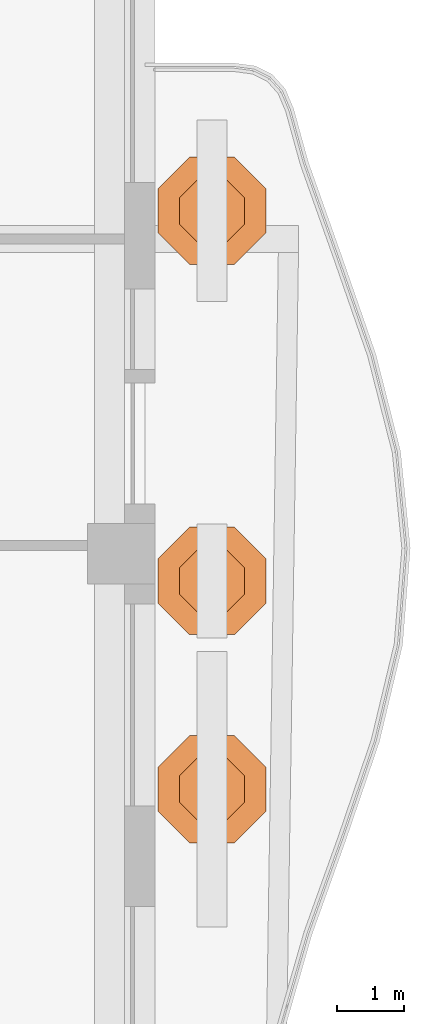
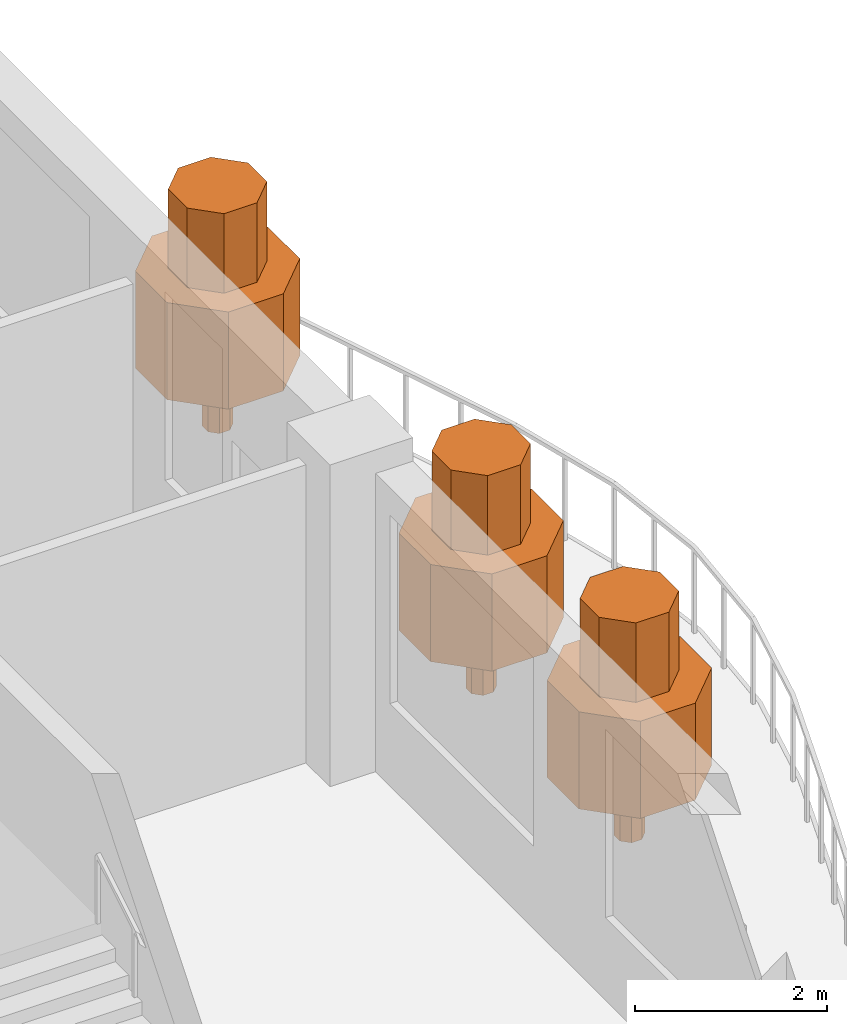
# One storey, part 14 of 14: 3 geographic elements.
"""IFC4 building model written with IfcOpenShell, lengths in metres."""

import ifcopenshell
import ifcopenshell.guid

model = None  # the IFC model being written
_history = None  # IfcOwnerHistory: only IFC2X3 demands one
_inside = {}  # id of a spatial element -> (the spatial element, [elements in it])
_under = {}  # id of a project, library or spatial element -> (it, [spatial elements below it])
_declared = {}  # id of a project -> (the project, [libraries it declares])
_typed = {}  # id of a type object -> (the type object, [elements of that type])
_made_of = {}  # id of a material, layer set ... -> (it, [elements and type objects made of it])


def new_model(schema):
    """Start an empty IFC model of exactly this schema.

    Asked for "IFC4X3", IfcOpenShell would pick the latest addendum, in which some entities
    have other attributes; the version numbers below select the first issue.
    IFC2X3 requires an IfcOwnerHistory on every rooted entity: one is made here for all.
    """
    global model, _history
    if schema == "IFC4X3":
        model = ifcopenshell.file(schema_version=(4, 3, 0, 0))
    else:
        model = ifcopenshell.file(schema=schema)
    _inside.clear()
    _under.clear()
    _declared.clear()
    _typed.clear()
    _made_of.clear()
    _history = None
    if model.schema == "IFC2X3":
        org = make("IfcOrganization", Name="unknown")
        user = make(
            "IfcPersonAndOrganization",
            ThePerson=make("IfcPerson", FamilyName="unknown"),
            TheOrganization=org,
        )
        app = make(
            "IfcApplication",
            ApplicationDeveloper=org,
            Version="unknown",
            ApplicationFullName="unknown",
            ApplicationIdentifier="unknown",
        )
        _history = make(
            "IfcOwnerHistory",
            OwningUser=user,
            OwningApplication=app,
            ChangeAction="ADDED",
            CreationDate=0,
        )
    return model


def make(cls, **values):
    """One entity of the class cls with the attributes given. An attribute that is None is left unset."""
    return model.create_entity(
        cls, **{name: value for name, value in values.items() if value is not None}
    )


def rooted(cls, **values):
    """An entity with a GlobalId (a new one), such as an element, a storey or a relation."""
    return make(cls, GlobalId=ifcopenshell.guid.new(), OwnerHistory=_history, **values)


def si_unit(unit_type, name, prefix=None):
    """IfcSIUnit, for example si_unit("LENGTHUNIT", "METRE", prefix="MILLI")."""
    return make("IfcSIUnit", UnitType=unit_type, Prefix=prefix, Name=name)


def assignment(units):
    """IfcUnitAssignment: the units of a project."""
    return None if units is None else make("IfcUnitAssignment", Units=units)


def point(xyz):
    """IfcCartesianPoint."""
    return None if xyz is None else make("IfcCartesianPoint", Coordinates=xyz)


def direction(xyz):
    """IfcDirection."""
    return None if xyz is None else make("IfcDirection", DirectionRatios=xyz)


def frame(location, z_axis=None, x_axis=None):
    """IfcAxis2Placement3D, a coordinate frame: its origin and axes. An axis left out is left unset."""
    return make(
        "IfcAxis2Placement3D",
        Location=point(location),
        Axis=direction(z_axis),
        RefDirection=direction(x_axis),
    )


def origin():
    """The frame at (0, 0, 0) with its axes left unset."""
    return frame((0.0, 0.0, 0.0))


def place(relative_to, where):
    """IfcLocalPlacement: puts the frame where relative to a parent placement (None: the world)."""
    return make(
        "IfcLocalPlacement", PlacementRelTo=relative_to, RelativePlacement=where
    )


def context(
    kind, dimensions, precision=None, world=None, true_north=None, identifier=None
):
    """IfcGeometricRepresentationContext, for example the 3D "Model" context."""
    return make(
        "IfcGeometricRepresentationContext",
        ContextIdentifier=identifier,
        ContextType=kind,
        CoordinateSpaceDimension=dimensions,
        Precision=precision,
        WorldCoordinateSystem=world,
        TrueNorth=true_north,
    )


def subcontext(parent, identifier, kind, view, scale=None):
    """IfcGeometricRepresentationSubContext, for example "Body" below "Model"."""
    return make(
        "IfcGeometricRepresentationSubContext",
        ContextIdentifier=identifier,
        ContextType=kind,
        ParentContext=parent,
        TargetScale=scale,
        TargetView=view,
    )


def project(units=None, contexts=None):
    """IfcProject with its units and contexts."""
    return rooted(
        "IfcProject",
        Name="project",
        RepresentationContexts=contexts,
        UnitsInContext=assignment(units),
    )


def spatial(cls, under=None, at=None, **own):
    """A site, building, storey or space (cls), placed at a placement, below another one or the project."""
    s = rooted(cls, ObjectPlacement=at, **own)
    if under is not None:
        _under.setdefault(under.id(), (under, []))[1].append(s)
    return s


def polyline(points):
    """IfcPolyline through the points."""
    return make("IfcPolyline", Points=[point(p) for p in points])


def outline(outer, holes=None, kind="AREA"):
    """IfcArbitraryClosedProfileDef: a profile drawn as a closed curve; with holes, ...WithVoids."""
    if holes is None:
        return make("IfcArbitraryClosedProfileDef", ProfileType=kind, OuterCurve=outer)
    return make(
        "IfcArbitraryProfileDefWithVoids",
        ProfileType=kind,
        OuterCurve=outer,
        InnerCurves=holes,
    )


def extrude(swept, where, along, depth):
    """IfcExtrudedAreaSolid: the profile swept, set in the frame where, extruded along a direction by depth."""
    return make(
        "IfcExtrudedAreaSolid",
        SweptArea=swept,
        Position=where,
        ExtrudedDirection=direction(along),
        Depth=depth,
    )


def shape(context_of_items, identifier, shape_type, items):
    """IfcShapeRepresentation: the items that make up one representation, for example the "Body"."""
    return make(
        "IfcShapeRepresentation",
        ContextOfItems=context_of_items,
        RepresentationIdentifier=identifier,
        RepresentationType=shape_type,
        Items=items,
    )


def material(Name=None, Category=None):
    """IfcMaterial."""
    return make("IfcMaterial", Name=Name, Category=Category)


def made_of(thing, what):
    """Note that an element or type object is made of a material, layer set ...; save() writes the relation."""
    if what is not None:
        _made_of.setdefault(what.id(), (what, []))[1].append(thing)
    return thing


def type_object(cls, material=None, **own):
    """A type object (cls), such as IfcWallType, which elements share."""
    return made_of(rooted(cls, **own), material)


def element(
    cls,
    number,
    at=None,
    inside=None,
    cuts=None,
    type_object=None,
    material=None,
    context=None,
    identifier="Body",
    shape_type=None,
    held_by="IfcProductDefinitionShape",
    body=None,
    shapes=None,
    **own,
):
    """One element of the class cls, such as IfcWall. Its Tag is "e" and its number.

    at: its placement. inside: the storey or other place that contains it. cuts: it is an
    opening in that element (IfcRelVoidsElement). A single representation is given by context,
    identifier, shape_type and body (its items); several are given by shapes. held_by: the class
    of the entity that holds the representations. save() writes the other relations.
    """
    e = rooted(cls, Tag="e%d" % number, ObjectPlacement=at, **own)
    if body is not None:
        shapes = [shape(context, identifier, shape_type, body)]
    if shapes is not None:
        e.Representation = make(held_by, Representations=shapes)
    if inside is not None:
        _inside.setdefault(inside.id(), (inside, []))[1].append(e)
    if cuts is not None:
        rooted(
            "IfcRelVoidsElement", RelatingBuildingElement=cuts, RelatedOpeningElement=e
        )
    if type_object is not None:
        _typed.setdefault(type_object.id(), (type_object, []))[1].append(e)
    return made_of(e, material)


def aggregate(whole, parts):
    """IfcRelAggregates: a whole, such as a stair, and the parts it consists of."""
    return rooted("IfcRelAggregates", RelatingObject=whole, RelatedObjects=parts)


def save(model, path):
    """Write the relations noted so far, then the file.

    IfcRelAggregates (storeys below a building ...), IfcRelContainedInSpatialStructure (elements
    in a storey), IfcRelDefinesByType, IfcRelAssociatesMaterial and IfcRelDeclares: one each for
    every whole, place, type object, material and project.
    """
    for whole, parts in _under.values():
        aggregate(whole, parts)
    for where, things in _inside.values():
        rooted(
            "IfcRelContainedInSpatialStructure",
            RelatedElements=things,
            RelatingStructure=where,
        )
    for kind, things in _typed.values():
        rooted("IfcRelDefinesByType", RelatedObjects=things, RelatingType=kind)
    for what, things in _made_of.values():
        rooted("IfcRelAssociatesMaterial", RelatedObjects=things, RelatingMaterial=what)
    for by, libraries in _declared.values():
        rooted("IfcRelDeclares", RelatingContext=by, RelatedDefinitions=libraries)
    model.write(path)


model = new_model("IFC4")

# Units and contexts
model_context = context("Model", 3, precision=1e-05, world=origin(), true_north=direction((0.0, 1.0)))
body_context = subcontext(model_context, "Body", "Model", "MODEL_VIEW")
ifc_project = project(units=[si_unit("LENGTHUNIT", "METRE"), si_unit("AREAUNIT", "SQUARE_METRE"), si_unit("VOLUMEUNIT", "CUBIC_METRE"), si_unit("PLANEANGLEUNIT", "RADIAN"), si_unit("MASSUNIT", "GRAM", prefix="KILO")], contexts=[model_context])

# Site, building, storey
site_placement = place(None, origin())
site = spatial("IfcSite", under=ifc_project, at=site_placement, CompositionType="ELEMENT")
building_placement = place(site_placement, origin())
building = spatial("IfcBuilding", under=site, at=building_placement, Name="Cypress Arch Tower", CompositionType="ELEMENT")
storey_placement = place(building_placement, frame((0.0, 0.0, 300.800048828125)))
storey = spatial("IfcBuildingStorey", under=building, at=storey_placement, Name="L68", CompositionType="ELEMENT", Elevation=300.800048828125)

# Geographic elements
ifc_material = material(Name="Foliage and planting")
geographic_element_type = type_object("IfcGeographicElementType", Name="Balcony tree TR", PredefinedType="USERDEFINED", material=ifc_material)
for number, where, z_axis, x_axis, name in (
    (1, (25.60009765625, 1.0, 0.599853515625), (0.0, 0.0, 1.0), (1.0, 0.0, 0.0), "Balcony tree L68-C17.1"),
    (2, (25.60009765625, 4.095703125, 0.599853515625), (0.0, 0.0, 1.0), (1.0, 0.0, 0.0), "Balcony tree L68-C17.2"),
    (3, (25.60009765625, 9.60009765625, 0.599853515625), (0.0, 0.0, 1.0), (1.0, 0.0, 0.0), "Balcony tree L68-C17.3"),
):
    element("IfcGeographicElement", number, at=place(storey_placement, frame(where, z_axis=z_axis, x_axis=x_axis)), inside=storey, type_object=geographic_element_type, Name=name, ObjectType="TREE", PredefinedType="USERDEFINED", context=body_context, shape_type="SweptSolid", body=[
        extrude(outline(polyline([(0.14990234375, 0.06201171875), (0.06201171875, 0.14990234375), (-0.06201171875, 0.14990234375), (-0.14990234375, 0.06201171875), (-0.14990234375, -0.06201171875), (-0.06201171875, -0.14990234375), (0.06201171875, -0.14990234375), (0.14990234375, -0.06201171875), (0.14990234375, 0.06201171875)])), origin(), (0.0, 0.0, 1.0), 0.89990234375),
        extrude(outline(polyline([(0.800048828125, 0.331298828125), (0.331298828125, 0.800048828125), (-0.331298828125, 0.800048828125), (-0.800048828125, 0.331298828125), (-0.800048828125, -0.331298828125), (-0.331298828125, -0.800048828125), (0.331298828125, -0.800048828125), (0.800048828125, -0.331298828125), (0.800048828125, 0.331298828125)])), frame((0.0, 0.0, 0.800048828125)), (0.0, 0.0, 1.0), 1.237548828125),
        extrude(outline(polyline([(0.47998046875, 0.19873046875), (0.19873046875, 0.47998046875), (-0.19873046875, 0.47998046875), (-0.47998046875, 0.19873046875), (-0.47998046875, -0.19873046875), (-0.19873046875, -0.47998046875), (0.19873046875, -0.47998046875), (0.47998046875, -0.19873046875), (0.47998046875, 0.19873046875)])), frame((0.0, 0.0, 2.03759765625)), (0.0, 0.0, 1.0), 1.012451171875),
    ])

save(model, "model.ifc")
